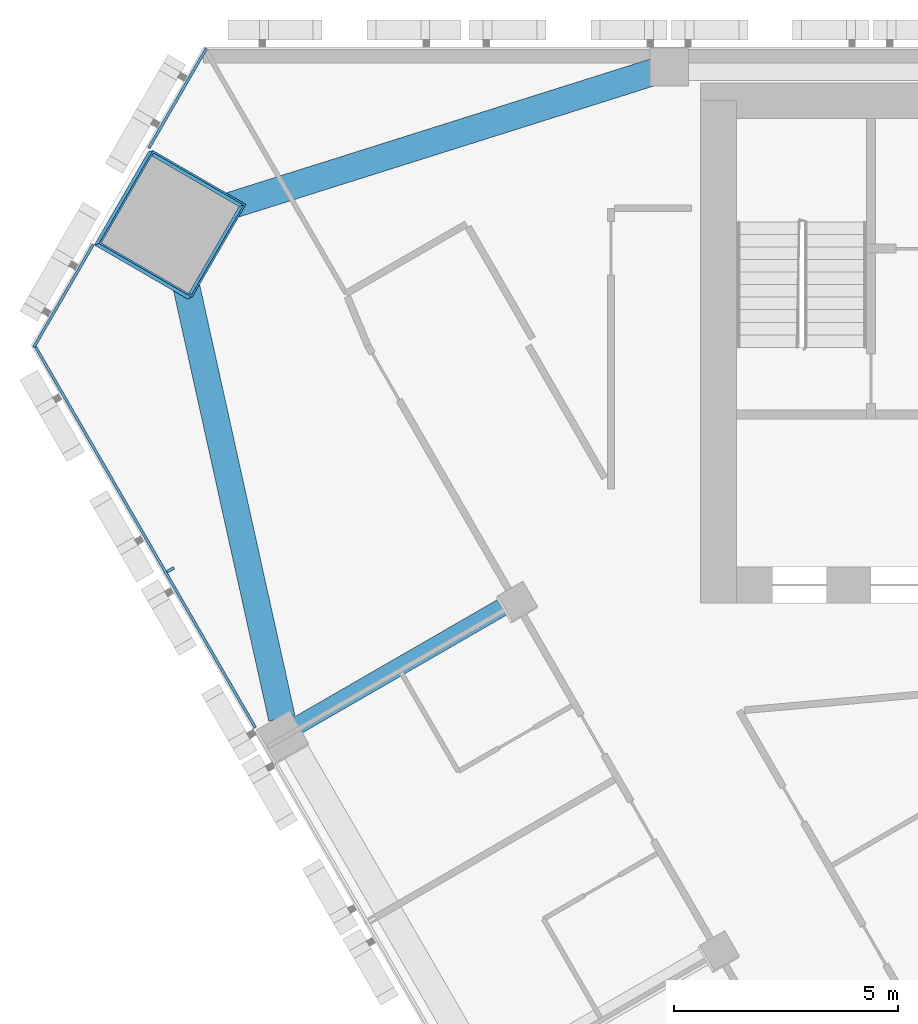
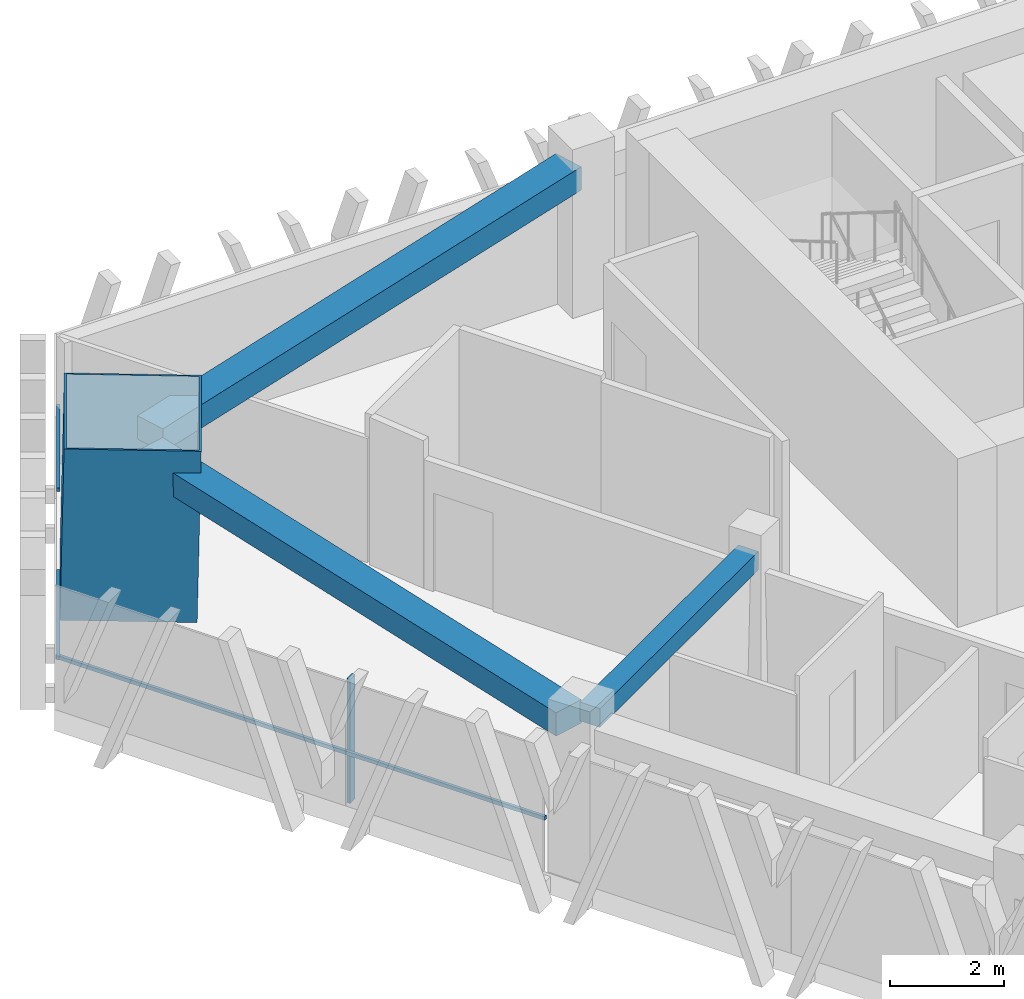
# One storey, part 5 of 16: 5 members, 3 beams, 2 elements without a shape of their own.
"""IFC4 building model written with IfcOpenShell, lengths in metres."""

from ifc_helpers import new_model, si_unit, direction, frame, origin, origin_2d, place, context, subcontext, project, spatial, rectangle, hollow_rectangle, extrude, material, layer, layer_set, material_profile, profile_set, type_object, element, aggregate, save


model = new_model("IFC4")

# Units and contexts
model_context = context("Model", 3, precision=1e-05, world=origin(), true_north=direction((0.0, 1.0)))
body_context = subcontext(model_context, "Body", "Model", "MODEL_VIEW")
ifc_project = project(units=[si_unit("LENGTHUNIT", "METRE"), si_unit("AREAUNIT", "SQUARE_METRE"), si_unit("VOLUMEUNIT", "CUBIC_METRE"), si_unit("PLANEANGLEUNIT", "RADIAN"), si_unit("MASSUNIT", "GRAM", prefix="KILO")], contexts=[model_context])

# Site, building, storey
site_placement = place(None, origin())
site = spatial("IfcSite", under=ifc_project, at=site_placement, CompositionType="ELEMENT")
building_placement = place(site_placement, origin())
building = spatial("IfcBuilding", under=site, at=building_placement, Name="Altiplano Prism Tower", CompositionType="ELEMENT")
storey_placement = place(building_placement, frame((0.0, 0.0, 135.0)))
storey = spatial("IfcBuildingStorey", under=building, at=storey_placement, Name="L34", CompositionType="ELEMENT", Elevation=135.0)

# Curtain wall, member
ifc_material_1 = material(Name="Aluminium and glass", Category="aluminium")
ifc_layer = layer(ifc_material_1, 0.280029296875)
ifc_layer_set = layer_set([ifc_layer], Name="Aluminium and glass")
curtain_wall_type = type_object("IfcCurtainWallType", Name="CW1 typical co-living unitised curtain wall", PredefinedType="NOTDEFINED", material=ifc_layer_set)
curtain_wall_1_placement = place(storey_placement, origin())
curtain_wall_1 = element("IfcCurtainWall", 1, at=curtain_wall_1_placement, inside=storey, type_object=curtain_wall_type, Name="CW1 curtain wall south-west face L34", PredefinedType="NOTDEFINED")
ifc_material_2 = material(Name="Aluminium", Category="aluminium")
ifc_material_profile_1 = material_profile(ifc_material_2, rectangle(XDim=0.179931640625, YDim=0.06494140625, at=origin_2d()), Name="CW1 mullion 65 x 180")
ifc_profile_set_1 = profile_set([ifc_material_profile_1], Name="Aluminium")
member_type_1 = type_object("IfcMemberType", Name="CW1 mullion 65 x 180", PredefinedType="MULLION", material=ifc_profile_set_1)
member_1_placement = place(storey_placement, frame((60.377685546875, 93.33984375, 0.0), z_axis=(0.0, 0.0, 1.0), x_axis=(0.866025401489, 0.500000003975, 0.0)))
member_1 = element("IfcMember", 2, at=member_1_placement, type_object=member_type_1, Name="CW1 mullion", PredefinedType="MULLION", context=body_context, shape_type="SweptSolid", body=[
    extrude(rectangle(XDim=0.179931640625, YDim=0.06494140625, at=origin_2d()), origin(), (0.0, 0.0, 1.0), 2.64990234375),
])

# Curtain wall, members
curtain_wall_2_placement = place(storey_placement, origin())
curtain_wall_2 = element("IfcCurtainWall", 3, at=curtain_wall_2_placement, inside=storey, type_object=curtain_wall_type, Name="CW1 curtain wall north-west chamfer L34", PredefinedType="NOTDEFINED")
ifc_material_profile_2 = material_profile(ifc_material_2, rectangle(XDim=0.06005859375, YDim=0.080078125, at=origin_2d()), Name="CW1 transom 80 x 60")
ifc_profile_set_2 = profile_set([ifc_material_profile_2], Name="Aluminium")
member_type_2 = type_object("IfcMemberType", Name="CW1 transom 80 x 60", PredefinedType="USERDEFINED", material=ifc_profile_set_2)
member_2_placement = place(storey_placement, frame((61.177734375, 104.965087890625, 1.10009765625), z_axis=(-0.499966827118, -0.86604455531, 0.0), x_axis=(0.86604455531, -0.499966827118, 0.0)))
member_2 = element("IfcMember", 4, at=member_2_placement, type_object=member_type_2, Name="CW1 transom", ObjectType="TRANSOM", PredefinedType="USERDEFINED", context=body_context, shape_type="SweptSolid", body=[
    extrude(rectangle(XDim=0.06005859375, YDim=0.080078125, at=origin_2d()), origin(), (0.0, 0.0, 1.0), 2.565673828125),
])
member_3_placement = place(storey_placement, frame((58.655029296875, 100.595458984375, 1.10009765625), z_axis=(-0.500010041276, -0.866019606374, 0.0), x_axis=(0.866019606374, -0.500010041276, 0.0)))
member_3 = element("IfcMember", 5, at=member_3_placement, type_object=member_type_2, Name="CW1 transom", ObjectType="TRANSOM", PredefinedType="USERDEFINED", context=body_context, shape_type="SweptSolid", body=[
    extrude(rectangle(XDim=0.06005859375, YDim=0.080078125, at=origin_2d()), origin(), (0.0, 0.0, 1.0), 2.6455078125),
])
aggregate(curtain_wall_2, [member_2, member_3])

# Member
member_4_placement = place(storey_placement, frame((57.332275390625, 98.37451171875, 1.10009765625), z_axis=(0.500001283009, -0.866024663038, 0.0), x_axis=(0.866024663038, 0.500001283009, 0.0)))
member_4 = element("IfcMember", 6, at=member_4_placement, type_object=member_type_2, Name="CW1 transom", ObjectType="TRANSOM", PredefinedType="USERDEFINED", context=body_context, shape_type="SweptSolid", body=[
    extrude(rectangle(XDim=0.06005859375, YDim=0.080078125, at=origin_2d()), origin(), (0.0, 0.0, 1.0), 9.87841796875),
])

aggregate(curtain_wall_1, [member_1, member_4])

# Beams
ifc_material_3 = material(Name="Concrete C60/75", Category="concrete")
ifc_material_profile_3 = material_profile(ifc_material_3, rectangle(XDim=0.60009765625, YDim=0.5, at=origin_2d()), Name="Edge beam 600x500")
ifc_profile_set_3 = profile_set([ifc_material_profile_3], Name="Concrete C60/75")
beam_type_1 = type_object("IfcBeamType", Name="Edge beam 600x500", PredefinedType="SPANDREL", material=ifc_profile_set_3)
for number, where, z_axis, x_axis, name in (
    (7, (71.189453125, 104.451904296875, 2.89990234375), (-0.953611592141, -0.301039750423, 0.0), (0.301039750423, -0.953611592141, 0.0), "Edge beam P04-M0 L35"),
    (8, (60.519775390625, 100.61376953125, 2.89990234375), (0.216110092329, -0.976369001963, 0.0), (0.976369001963, 0.216110092329, 0.0), "Edge beam M0-P11 L35"),
):
    element("IfcBeam", number, at=place(storey_placement, frame(where, z_axis=z_axis, x_axis=x_axis)), inside=storey, type_object=beam_type_1, Name=name, PredefinedType="SPANDREL", context=body_context, shape_type="SweptSolid", body=[
        extrude(rectangle(XDim=0.60009765625, YDim=0.5, at=origin_2d()), origin(), (0.0, 0.0, 1.0), 10.840576171875),
    ])

# Member
ifc_material_4 = material(Name="Steel S460", Category="steel")
ifc_material_profile_4 = material_profile(ifc_material_4, hollow_rectangle(XDim=2.39990234375, YDim=2.39990234375, WallThickness=0.0400390625, at=origin_2d()), Name="Mega column tube 2400")
ifc_profile_set_4 = profile_set([ifc_material_profile_4], Name="Steel S460")
member_type_3 = type_object("IfcMemberType", Name="Mega column tube 2400", PredefinedType="POST", material=ifc_profile_set_4)
member_5_placement = place(storey_placement, frame((60.3203125, 101.019775390625, 0.0), z_axis=(0.028401814599, 0.009218727412, 0.999554076572), x_axis=(-0.865127429794, 0.501154791875, 0.019960080116)))
element("IfcMember", 9, at=member_5_placement, inside=storey, type_object=member_type_3, Name="Mega column tube M0 L34", PredefinedType="POST", context=body_context, shape_type="SweptSolid", body=[
    extrude(hollow_rectangle(XDim=2.39990234375, YDim=2.39990234375, WallThickness=0.0400390625, at=origin_2d()), origin(), (0.0, 0.0, 1.0), 3.601806640625),
])

# Beam
ifc_material_profile_5 = material_profile(ifc_material_3, rectangle(XDim=0.39990234375, YDim=0.39990234375, at=origin_2d()), Name="Tie beam 400x400")
ifc_profile_set_5 = profile_set([ifc_material_profile_5], Name="Concrete C60/75")
beam_type_2 = type_object("IfcBeamType", Name="Tie beam 400x400", PredefinedType="BEAM", material=ifc_profile_set_5)
beam_placement = place(storey_placement, frame((67.994873046875, 92.6337890625, 2.949951171875), z_axis=(-0.866027073272, -0.499997108352, 0.0), x_axis=(0.499997108352, -0.866027073272, 0.0)))
element("IfcBeam", 10, at=beam_placement, inside=storey, type_object=beam_type_2, Name="Tie beam I11 L35", PredefinedType="BEAM", context=body_context, shape_type="SweptSolid", body=[
    extrude(rectangle(XDim=0.39990234375, YDim=0.39990234375, at=origin_2d()), origin(), (0.0, 0.0, 1.0), 5.5400390625),
])

save(model, "model.ifc")
